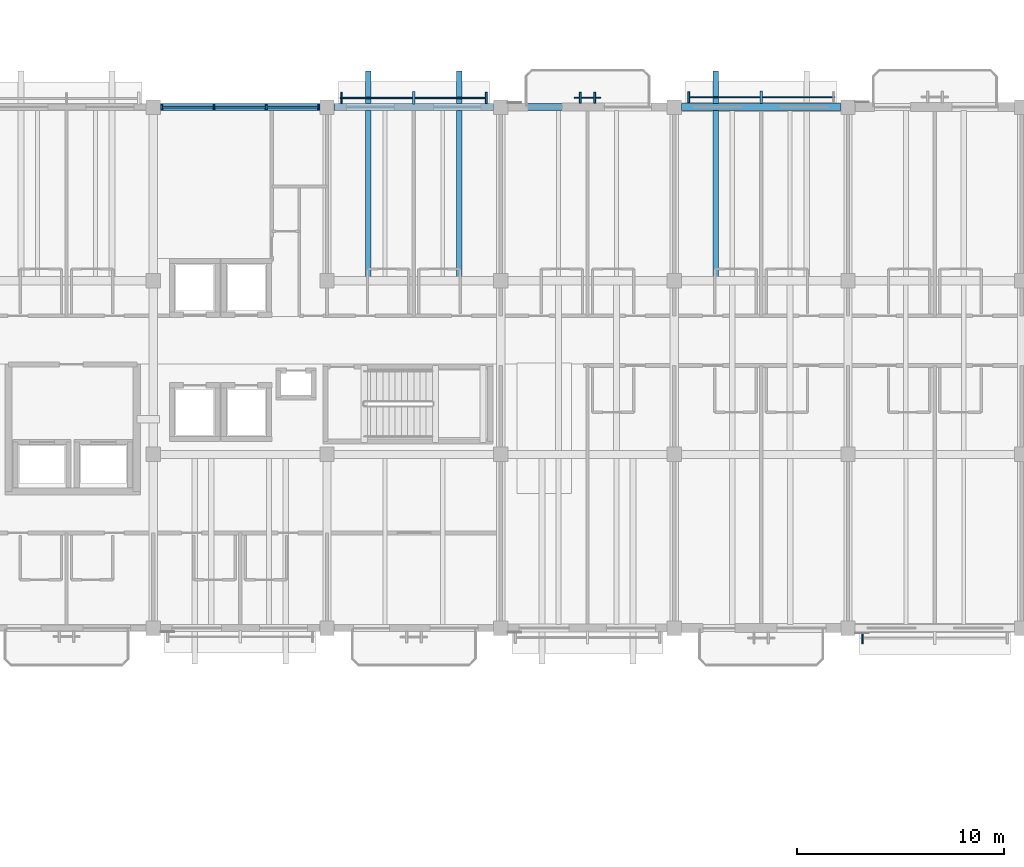
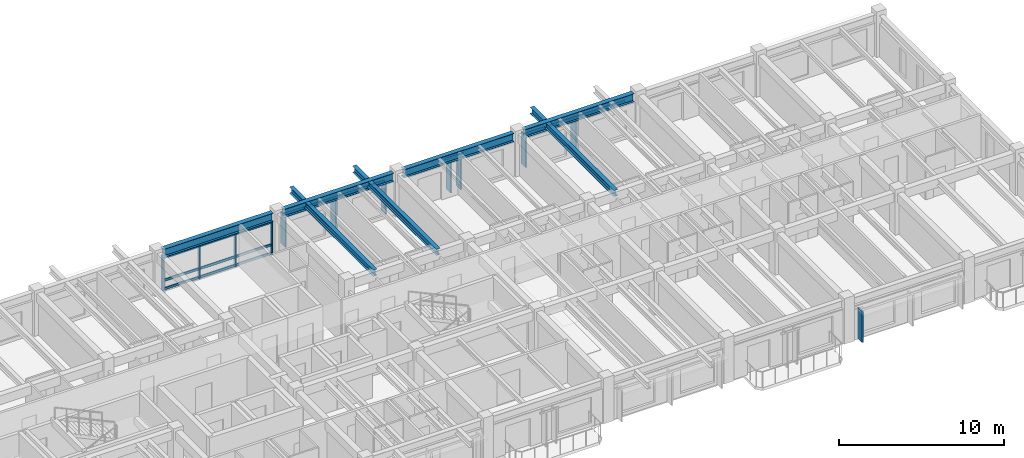
# One storey, part 14 of 64: 24 members, 7 beams, 5 elements without a shape of their own.
"""IFC4 building model written with IfcOpenShell, lengths in metres."""

from ifc_helpers import new_model, si_unit, direction, frame, origin, origin_2d, place, context, subcontext, project, spatial, rectangle, i_section, extrude, material, material_profile, profile_set, type_object, element, aggregate, save


model = new_model("IFC4")

# Units and contexts
model_context = context("Model", 3, precision=1e-05, world=origin(), true_north=direction((0.0, 1.0)))
body_context = subcontext(model_context, "Body", "Model", "MODEL_VIEW")
ifc_project = project(units=[si_unit("LENGTHUNIT", "METRE"), si_unit("AREAUNIT", "SQUARE_METRE"), si_unit("VOLUMEUNIT", "CUBIC_METRE"), si_unit("PLANEANGLEUNIT", "RADIAN"), si_unit("MASSUNIT", "GRAM", prefix="KILO")], contexts=[model_context])

# Site, building, storey
site_placement = place(None, origin())
site = spatial("IfcSite", under=ifc_project, at=site_placement, CompositionType="ELEMENT")
building_placement = place(site_placement, origin())
building = spatial("IfcBuilding", under=site, at=building_placement, Name="Cumbredor Promenade Congress Hotel", CompositionType="ELEMENT")
storey_placement = place(building_placement, frame((0.0, 0.0, 18.47998046875)))
storey = spatial("IfcBuildingStorey", under=building, at=storey_placement, Name="L05", CompositionType="ELEMENT", Elevation=18.47998046875)

# Beams
ifc_material_1 = material(Name="Steel ASTM A992 Grade 50", Category="steel")
ifc_material_profile_1 = material_profile(ifc_material_1, i_section(OverallWidth=0.323974609375, OverallDepth=0.611083984375, WebThickness=0.0126953125, FlangeThickness=0.01904296875, at=origin_2d()), Name="W24X104")
ifc_profile_set_1 = profile_set([ifc_material_profile_1], Name="Steel ASTM A992 Grade 50")
beam_type_1 = type_object("IfcBeamType", Name="BM-W24X104", PredefinedType="BEAM", material=ifc_profile_set_1)
for number, where, z_axis, x_axis, name in (
    (1, (33.949951171875, 117.60009765625, 2.814453125), (1.0, 0.0, 0.0), (0.0, 1.0, 0.0), "L06 X-Grid Beam 067"),
    (2, (42.35009765625, 117.60009765625, 2.814453125), (1.0, 0.0, 0.0), (0.0, 1.0, 0.0), "L06 X-Grid Beam 078"),
    (3, (50.75, 117.60009765625, 2.814453125), (1.0, 0.0, 0.0), (0.0, 1.0, 0.0), "L06 X-Grid Beam 090"),
):
    element("IfcBeam", number, at=place(storey_placement, frame(where, z_axis=z_axis, x_axis=x_axis)), inside=storey, type_object=beam_type_1, Name=name, PredefinedType="BEAM", context=body_context, shape_type="SweptSolid", body=[
        extrude(i_section(OverallWidth=0.323974609375, OverallDepth=0.611083984375, WebThickness=0.0126953125, FlangeThickness=0.01904296875, at=origin_2d()), origin(), (0.0, 0.0, 1.0), 7.699951171875),
    ])
beam_placement = place(storey_placement, frame((59.14990234375, 117.60009765625, 2.814453125), z_axis=(1.0, 0.0, 0.0), x_axis=(0.0, 1.0, 0.0)))
element("IfcBeam", 4, at=beam_placement, inside=storey, type_object=beam_type_1, Name="L06 X-Grid Beam 112", PredefinedType="BEAM", context=body_context, shape_type="SweptSolid", body=[
    extrude(i_section(OverallWidth=0.323974609375, OverallDepth=0.611083984375, WebThickness=0.0126953125, FlangeThickness=0.01904296875, at=origin_2d()), origin(), (0.0, 0.0, 1.0), 7.7001953125),
])

# Curtain wall, members
ifc_material_2 = material(Name="Thermally broken anodized aluminium and low-E glass", Category="aluminium")
curtain_wall_type_1 = type_object("IfcCurtainWallType", Name="Unitised Bronze Curtain Wall CW-01", PredefinedType="NOTDEFINED", material=ifc_material_2)
curtain_wall_1_placement = place(storey_placement, origin())
curtain_wall_1 = element("IfcCurtainWall", 5, at=curtain_wall_1_placement, inside=storey, type_object=curtain_wall_type_1, Name="L05 Stepped Congress Hotel Wing North Curtain Wall 5", PredefinedType="NOTDEFINED")
ifc_material_3 = material(Name="Thermally broken anodized aluminium", Category="aluminium")
ifc_material_profile_2 = material_profile(ifc_material_3, rectangle(XDim=0.080078125, YDim=0.239990234375, at=origin_2d()), Name="ALU MULLION 80x240")
ifc_profile_set_2 = profile_set([ifc_material_profile_2], Name="Thermally broken anodized aluminium")
member_type_1 = type_object("IfcMemberType", Name="Curtain Wall Mullion ML-03", PredefinedType="MULLION", material=ifc_profile_set_2)
member_1_placement = place(storey_placement, frame((34.0048828125, 117.60009765625, -0.008056640625), z_axis=(0.0, 0.0, 1.0), x_axis=(1.0, 0.0, 0.0)))
member_1 = element("IfcMember", 6, at=member_1_placement, type_object=member_type_1, Name="L05 Stepped Congress Hotel Wing North Curtain Wall 5 Mullion 1", PredefinedType="MULLION", context=body_context, shape_type="SweptSolid", body=[
    extrude(rectangle(XDim=0.080078125, YDim=0.239990234375, at=origin_2d()), origin(), (0.0, 0.0, 1.0), 2.510009765625),
])
member_2_placement = place(storey_placement, frame((36.534912109375, 117.60009765625, -0.008056640625), z_axis=(0.0, 0.0, 1.0), x_axis=(1.0, 0.0, 0.0)))
member_2 = element("IfcMember", 7, at=member_2_placement, type_object=member_type_1, Name="L05 Stepped Congress Hotel Wing North Curtain Wall 5 Mullion 2", PredefinedType="MULLION", context=body_context, shape_type="SweptSolid", body=[
    extrude(rectangle(XDim=0.080078125, YDim=0.239990234375, at=origin_2d()), origin(), (0.0, 0.0, 1.0), 2.510009765625),
])
member_3_placement = place(storey_placement, frame((39.06494140625, 117.60009765625, -0.008056640625), z_axis=(0.0, 0.0, 1.0), x_axis=(1.0, 0.0, 0.0)))
member_3 = element("IfcMember", 8, at=member_3_placement, type_object=member_type_1, Name="L05 Stepped Congress Hotel Wing North Curtain Wall 5 Mullion 3", PredefinedType="MULLION", context=body_context, shape_type="SweptSolid", body=[
    extrude(rectangle(XDim=0.080078125, YDim=0.239990234375, at=origin_2d()), origin(), (0.0, 0.0, 1.0), 2.510009765625),
])
member_4_placement = place(storey_placement, frame((41.594970703125, 117.60009765625, -0.008056640625), z_axis=(0.0, 0.0, 1.0), x_axis=(1.0, 0.0, 0.0)))
member_4 = element("IfcMember", 9, at=member_4_placement, type_object=member_type_1, Name="L05 Stepped Congress Hotel Wing North Curtain Wall 5 Mullion 4", PredefinedType="MULLION", context=body_context, shape_type="SweptSolid", body=[
    extrude(rectangle(XDim=0.080078125, YDim=0.239990234375, at=origin_2d()), origin(), (0.0, 0.0, 1.0), 2.510009765625),
])

# Curtain wall, member
curtain_wall_type_2 = type_object("IfcCurtainWallType", Name="Solar Brise-Soleil Screen Assembly CW-07", PredefinedType="NOTDEFINED", material=ifc_material_2)
curtain_wall_2_placement = place(storey_placement, origin())
curtain_wall_2 = element("IfcCurtainWall", 10, at=curtain_wall_2_placement, inside=storey, type_object=curtain_wall_type_2, Name="L05 Hospitality Brise-Soleil Screen 085", PredefinedType="NOTDEFINED")
ifc_material_profile_3 = material_profile(ifc_material_3, rectangle(XDim=0.06494140625, YDim=0.1298828125, at=origin_2d()), Name="ALU TRANSOM 65x130")
ifc_profile_set_3 = profile_set([ifc_material_profile_3], Name="Thermally broken anodized aluminium")
member_type_2 = type_object("IfcMemberType", Name="Curtain Wall Transom TR-01", PredefinedType="USERDEFINED", material=ifc_profile_set_3)
member_5_placement = place(storey_placement, frame((42.65087890625, 118.034912109375, 2.31396484375), z_axis=(1.0, 0.0, 0.0), x_axis=(0.0, 1.0, 0.0)))
member_5 = element("IfcMember", 11, at=member_5_placement, type_object=member_type_2, Name="L05 Brise-Soleil Screen Transom 085", ObjectType="TRANSOM", PredefinedType="USERDEFINED", context=body_context, shape_type="SweptSolid", body=[
    extrude(rectangle(XDim=0.06494140625, YDim=0.1298828125, at=origin_2d()), origin(), (0.0, 0.0, 1.0), 7.09814453125),
])

curtain_wall_3_placement = place(storey_placement, origin())
curtain_wall_3 = element("IfcCurtainWall", 12, at=curtain_wall_3_placement, inside=storey, type_object=curtain_wall_type_2, Name="L05 Veranda Solar Brise-Soleil Screen 892", PredefinedType="NOTDEFINED")
member_6_placement = place(storey_placement, frame((53.949951171875, 118.050048828125, 2.4140625), z_axis=(1.0, 0.0, 0.0), x_axis=(0.0, 1.0, 0.0)))
member_6 = element("IfcMember", 13, at=member_6_placement, type_object=member_type_2, Name="L05 Brise-Soleil Header Tie 0894", ObjectType="TRANSOM", PredefinedType="USERDEFINED", context=body_context, shape_type="SweptSolid", body=[
    extrude(rectangle(XDim=0.06494140625, YDim=0.1298828125, at=origin_2d()), origin(), (0.0, 0.0, 1.0), 1.300048828125),
])

curtain_wall_4_placement = place(storey_placement, origin())
curtain_wall_4 = element("IfcCurtainWall", 14, at=curtain_wall_4_placement, inside=storey, type_object=curtain_wall_type_2, Name="L05 Hospitality Brise-Soleil Screen 086", PredefinedType="NOTDEFINED")
member_7_placement = place(storey_placement, frame((59.450927734375, 118.072509765625, 2.31396484375), z_axis=(1.0, 0.0, 0.0), x_axis=(0.0, 1.0, 0.0)))
member_7 = element("IfcMember", 15, at=member_7_placement, type_object=member_type_2, Name="L05 Brise-Soleil Screen Transom 086", ObjectType="TRANSOM", PredefinedType="USERDEFINED", context=body_context, shape_type="SweptSolid", body=[
    extrude(rectangle(XDim=0.06494140625, YDim=0.1298828125, at=origin_2d()), origin(), (0.0, 0.0, 1.0), 7.09814453125),
])

# Member
ifc_material_profile_4 = material_profile(ifc_material_3, rectangle(XDim=0.080078125, YDim=0.179931640625, at=origin_2d()), Name="ALU TRANSOM 80x180")
ifc_profile_set_4 = profile_set([ifc_material_profile_4], Name="Thermally broken anodized aluminium")
member_type_3 = type_object("IfcMemberType", Name="Curtain Wall Transom TR-03", PredefinedType="USERDEFINED", material=ifc_profile_set_4)
member_8_placement = place(storey_placement, frame((34.044921875, 117.60009765625, 0.090087890625), z_axis=(1.0, 0.0, 0.0), x_axis=(0.0, 1.0, 0.0)))
member_8 = element("IfcMember", 16, at=member_8_placement, type_object=member_type_3, Name="L05 Stepped Congress Hotel Wing North Curtain Wall 5 Transom 1.1", ObjectType="TRANSOM", PredefinedType="USERDEFINED", context=body_context, shape_type="SweptSolid", body=[
    extrude(rectangle(XDim=0.080078125, YDim=0.179931640625, at=origin_2d()), origin(), (0.0, 0.0, 1.0), 2.4501953125),
])

member_9_placement = place(storey_placement, frame((34.044921875, 117.60009765625, 0.719970703125), z_axis=(1.0, 0.0, 0.0), x_axis=(0.0, 1.0, 0.0)))
member_9 = element("IfcMember", 17, at=member_9_placement, type_object=member_type_3, Name="L05 Stepped Congress Hotel Wing North Curtain Wall 5 Transom 1.2", ObjectType="TRANSOM", PredefinedType="USERDEFINED", context=body_context, shape_type="SweptSolid", body=[
    extrude(rectangle(XDim=0.080078125, YDim=0.179931640625, at=origin_2d()), origin(), (0.0, 0.0, 1.0), 2.4501953125),
])

member_10_placement = place(storey_placement, frame((34.044921875, 117.60009765625, 2.39990234375), z_axis=(1.0, 0.0, 0.0), x_axis=(0.0, 1.0, 0.0)))
member_10 = element("IfcMember", 18, at=member_10_placement, type_object=member_type_3, Name="L05 Stepped Congress Hotel Wing North Curtain Wall 5 Transom 1.3", ObjectType="TRANSOM", PredefinedType="USERDEFINED", context=body_context, shape_type="SweptSolid", body=[
    extrude(rectangle(XDim=0.080078125, YDim=0.179931640625, at=origin_2d()), origin(), (0.0, 0.0, 1.0), 2.4501953125),
])

member_11_placement = place(storey_placement, frame((36.574951171875, 117.60009765625, 0.090087890625), z_axis=(1.0, 0.0, 0.0), x_axis=(0.0, 1.0, 0.0)))
member_11 = element("IfcMember", 19, at=member_11_placement, type_object=member_type_3, Name="L05 Stepped Congress Hotel Wing North Curtain Wall 5 Transom 2.1", ObjectType="TRANSOM", PredefinedType="USERDEFINED", context=body_context, shape_type="SweptSolid", body=[
    extrude(rectangle(XDim=0.080078125, YDim=0.179931640625, at=origin_2d()), origin(), (0.0, 0.0, 1.0), 2.449951171875),
])

member_12_placement = place(storey_placement, frame((36.574951171875, 117.60009765625, 0.719970703125), z_axis=(1.0, 0.0, 0.0), x_axis=(0.0, 1.0, 0.0)))
member_12 = element("IfcMember", 20, at=member_12_placement, type_object=member_type_3, Name="L05 Stepped Congress Hotel Wing North Curtain Wall 5 Transom 2.2", ObjectType="TRANSOM", PredefinedType="USERDEFINED", context=body_context, shape_type="SweptSolid", body=[
    extrude(rectangle(XDim=0.080078125, YDim=0.179931640625, at=origin_2d()), origin(), (0.0, 0.0, 1.0), 2.449951171875),
])

member_13_placement = place(storey_placement, frame((36.574951171875, 117.60009765625, 2.39990234375), z_axis=(1.0, 0.0, 0.0), x_axis=(0.0, 1.0, 0.0)))
member_13 = element("IfcMember", 21, at=member_13_placement, type_object=member_type_3, Name="L05 Stepped Congress Hotel Wing North Curtain Wall 5 Transom 2.3", ObjectType="TRANSOM", PredefinedType="USERDEFINED", context=body_context, shape_type="SweptSolid", body=[
    extrude(rectangle(XDim=0.080078125, YDim=0.179931640625, at=origin_2d()), origin(), (0.0, 0.0, 1.0), 2.449951171875),
])

member_14_placement = place(storey_placement, frame((39.10498046875, 117.60009765625, 0.090087890625), z_axis=(1.0, 0.0, 0.0), x_axis=(0.0, 1.0, 0.0)))
member_14 = element("IfcMember", 22, at=member_14_placement, type_object=member_type_3, Name="L05 Stepped Congress Hotel Wing North Curtain Wall 5 Transom 3.1", ObjectType="TRANSOM", PredefinedType="USERDEFINED", context=body_context, shape_type="SweptSolid", body=[
    extrude(rectangle(XDim=0.080078125, YDim=0.179931640625, at=origin_2d()), origin(), (0.0, 0.0, 1.0), 2.449951171875),
])

member_15_placement = place(storey_placement, frame((39.10498046875, 117.60009765625, 0.719970703125), z_axis=(1.0, 0.0, 0.0), x_axis=(0.0, 1.0, 0.0)))
member_15 = element("IfcMember", 23, at=member_15_placement, type_object=member_type_3, Name="L05 Stepped Congress Hotel Wing North Curtain Wall 5 Transom 3.2", ObjectType="TRANSOM", PredefinedType="USERDEFINED", context=body_context, shape_type="SweptSolid", body=[
    extrude(rectangle(XDim=0.080078125, YDim=0.179931640625, at=origin_2d()), origin(), (0.0, 0.0, 1.0), 2.449951171875),
])

member_16_placement = place(storey_placement, frame((39.10498046875, 117.60009765625, 2.39990234375), z_axis=(1.0, 0.0, 0.0), x_axis=(0.0, 1.0, 0.0)))
member_16 = element("IfcMember", 24, at=member_16_placement, type_object=member_type_3, Name="L05 Stepped Congress Hotel Wing North Curtain Wall 5 Transom 3.3", ObjectType="TRANSOM", PredefinedType="USERDEFINED", context=body_context, shape_type="SweptSolid", body=[
    extrude(rectangle(XDim=0.080078125, YDim=0.179931640625, at=origin_2d()), origin(), (0.0, 0.0, 1.0), 2.449951171875),
])

aggregate(curtain_wall_1, [member_1, member_2, member_3, member_4, member_8, member_9, member_10, member_11, member_12, member_13, member_14, member_15, member_16])

# Beams
ifc_material_profile_5 = material_profile(ifc_material_1, i_section(OverallWidth=0.280029296875, OverallDepth=0.462890625, WebThickness=0.0107421875, FlangeThickness=0.017333984375, at=origin_2d()), Name="W18X76")
ifc_profile_set_5 = profile_set([ifc_material_profile_5], Name="Steel ASTM A992 Grade 50")
beam_type_2 = type_object("IfcBeamType", Name="JST-W18X76", PredefinedType="JOIST", material=ifc_profile_set_5)
for number, where, z_axis, x_axis, name in (
    (25, (44.0, 109.199951171875, 2.888427734375), (0.0, 1.0, 0.0), (-1.0, 0.0, 0.0), "L06 Balcony Back-Spanned Outrigger Beam 036.1"),
    (26, (48.39990234375, 109.199951171875, 2.888427734375), (0.0, 1.0, 0.0), (-1.0, 0.0, 0.0), "L06 Balcony Back-Spanned Outrigger Beam 036.2"),
    (27, (60.800048828125, 109.199951171875, 2.888427734375), (0.0, 1.0, 0.0), (-1.0, 0.0, 0.0), "L06 Balcony Back-Spanned Outrigger Beam 037.1"),
):
    element("IfcBeam", number, at=place(storey_placement, frame(where, z_axis=z_axis, x_axis=x_axis)), inside=storey, type_object=beam_type_2, Name=name, PredefinedType="JOIST", context=body_context, shape_type="SweptSolid", body=[
        extrude(i_section(OverallWidth=0.280029296875, OverallDepth=0.462890625, WebThickness=0.0107421875, FlangeThickness=0.017333984375, at=origin_2d()), origin(), (0.0, 0.0, 1.0), 10.150146484375),
    ])

# Member
ifc_material_profile_6 = material_profile(ifc_material_3, rectangle(XDim=0.110107421875, YDim=0.6201171875, at=origin_2d()), Name="ARCH FIN 110x620")
ifc_profile_set_6 = profile_set([ifc_material_profile_6], Name="Thermally broken anodized aluminium")
member_type_4 = type_object("IfcMemberType", Name="Vertical Bronze Brise-Soleil Fin BSF-02 110x620", PredefinedType="USERDEFINED", material=ifc_profile_set_6)
member_17_placement = place(storey_placement, frame((46.199951171875, 118.034912109375, 0.02001953125), z_axis=(0.0, 0.0, 1.0), x_axis=(1.0, 0.0, 0.0)))
member_17 = element("IfcMember", 28, at=member_17_placement, type_object=member_type_4, Name="L05 Vertical Brise-Soleil Fin 0890", ObjectType="SOLAR FIN", PredefinedType="USERDEFINED", context=body_context, shape_type="SweptSolid", body=[
    extrude(rectangle(XDim=0.110107421875, YDim=0.6201171875, at=origin_2d()), origin(), (0.0, 0.0, 1.0), 2.35400390625),
])

member_18_placement = place(storey_placement, frame((63.0, 118.072509765625, 0.02001953125), z_axis=(0.0, 0.0, 1.0), x_axis=(1.0, 0.0, 0.0)))
member_18 = element("IfcMember", 29, at=member_18_placement, type_object=member_type_4, Name="L05 Vertical Brise-Soleil Fin 0896", ObjectType="SOLAR FIN", PredefinedType="USERDEFINED", context=body_context, shape_type="SweptSolid", body=[
    extrude(rectangle(XDim=0.110107421875, YDim=0.6201171875, at=origin_2d()), origin(), (0.0, 0.0, 1.0), 2.35400390625),
])

# Curtain wall, member
curtain_wall_5_placement = place(storey_placement, origin())
curtain_wall_5 = element("IfcCurtainWall", 30, at=curtain_wall_5_placement, inside=storey, type_object=curtain_wall_type_2, Name="L05 Hospitality Brise-Soleil Screen 082", PredefinedType="NOTDEFINED")
ifc_material_4 = material(Name="Kiln-dried tropical hardwood", Category="wood")
ifc_material_profile_7 = material_profile(ifc_material_4, rectangle(XDim=0.090087890625, YDim=0.550048828125, at=origin_2d()), Name="ARCH FIN 90x550")
ifc_profile_set_7 = profile_set([ifc_material_profile_7], Name="Kiln-dried tropical hardwood")
member_type_5 = type_object("IfcMemberType", Name="Vertical Hardwood Brise-Soleil Fin BSF-01 90x550", PredefinedType="USERDEFINED", material=ifc_profile_set_7)
member_19_placement = place(storey_placement, frame((67.90087890625, 91.9150390625, 0.02001953125), z_axis=(0.0, 0.0, 1.0), x_axis=(1.0, 0.0, 0.0)))
member_19 = element("IfcMember", 31, at=member_19_placement, type_object=member_type_5, Name="L05 Vertical Brise-Soleil Fin 0871", ObjectType="SOLAR FIN", PredefinedType="USERDEFINED", context=body_context, shape_type="SweptSolid", body=[
    extrude(rectangle(XDim=0.090087890625, YDim=0.550048828125, at=origin_2d()), origin(), (0.0, 0.0, 1.0), 2.27392578125),
])
aggregate(curtain_wall_5, [member_19])

# Member
member_20_placement = place(storey_placement, frame((42.700927734375, 118.034912109375, 0.02001953125), z_axis=(0.0, 0.0, 1.0), x_axis=(1.0, 0.0, 0.0)))
member_20 = element("IfcMember", 32, at=member_20_placement, type_object=member_type_5, Name="L05 Vertical Brise-Soleil Fin 0889", ObjectType="SOLAR FIN", PredefinedType="USERDEFINED", context=body_context, shape_type="SweptSolid", body=[
    extrude(rectangle(XDim=0.090087890625, YDim=0.550048828125, at=origin_2d()), origin(), (0.0, 0.0, 1.0), 2.35400390625),
])

member_21_placement = place(storey_placement, frame((49.698974609375, 118.034912109375, 0.02001953125), z_axis=(0.0, 0.0, 1.0), x_axis=(1.0, 0.0, 0.0)))
member_21 = element("IfcMember", 33, at=member_21_placement, type_object=member_type_5, Name="L05 Vertical Brise-Soleil Fin 0891", ObjectType="SOLAR FIN", PredefinedType="USERDEFINED", context=body_context, shape_type="SweptSolid", body=[
    extrude(rectangle(XDim=0.090087890625, YDim=0.550048828125, at=origin_2d()), origin(), (0.0, 0.0, 1.0), 2.35400390625),
])

aggregate(curtain_wall_2, [member_5, member_20, member_17, member_21])

member_22_placement = place(storey_placement, frame((54.25, 118.050048828125, -0.010009765625), z_axis=(0.0, 0.0, 1.0), x_axis=(1.0, 0.0, 0.0)))
member_22 = element("IfcMember", 34, at=member_22_placement, type_object=member_type_5, Name="L05 Vertical Hardwood Brise-Soleil Fin 0893", ObjectType="SOLAR FIN", PredefinedType="USERDEFINED", context=body_context, shape_type="SweptSolid", body=[
    extrude(rectangle(XDim=0.090087890625, YDim=0.550048828125, at=origin_2d()), origin(), (0.0, 0.0, 1.0), 2.484130859375),
])

member_23_placement = place(storey_placement, frame((54.949951171875, 118.050048828125, -0.010009765625), z_axis=(0.0, 0.0, 1.0), x_axis=(1.0, 0.0, 0.0)))
member_23 = element("IfcMember", 35, at=member_23_placement, type_object=member_type_5, Name="L05 Vertical Hardwood Brise-Soleil Fin 0894", ObjectType="SOLAR FIN", PredefinedType="USERDEFINED", context=body_context, shape_type="SweptSolid", body=[
    extrude(rectangle(XDim=0.090087890625, YDim=0.550048828125, at=origin_2d()), origin(), (0.0, 0.0, 1.0), 2.484130859375),
])

aggregate(curtain_wall_3, [member_22, member_23, member_6])

member_24_placement = place(storey_placement, frame((59.5009765625, 118.072509765625, 0.02001953125), z_axis=(0.0, 0.0, 1.0), x_axis=(1.0, 0.0, 0.0)))
member_24 = element("IfcMember", 36, at=member_24_placement, type_object=member_type_5, Name="L05 Vertical Brise-Soleil Fin 0895", ObjectType="SOLAR FIN", PredefinedType="USERDEFINED", context=body_context, shape_type="SweptSolid", body=[
    extrude(rectangle(XDim=0.090087890625, YDim=0.550048828125, at=origin_2d()), origin(), (0.0, 0.0, 1.0), 2.35400390625),
])

aggregate(curtain_wall_4, [member_7, member_24, member_18])

save(model, "model.ifc")
